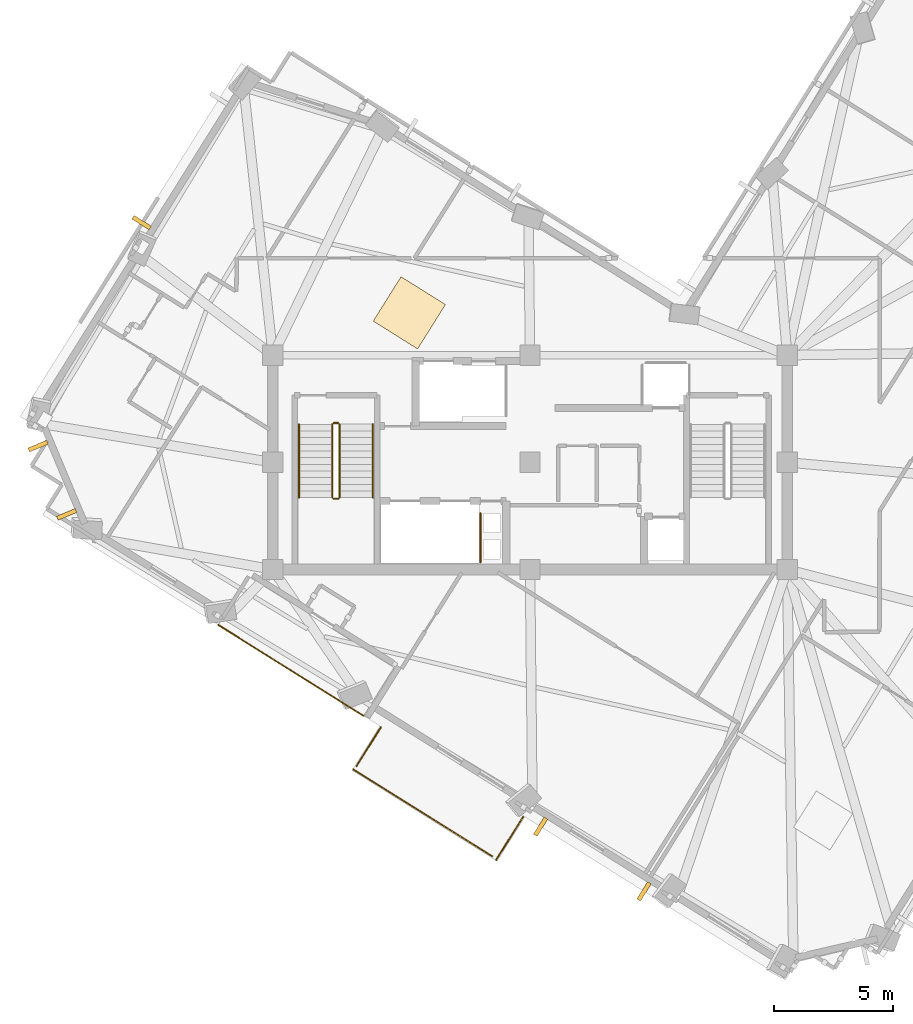
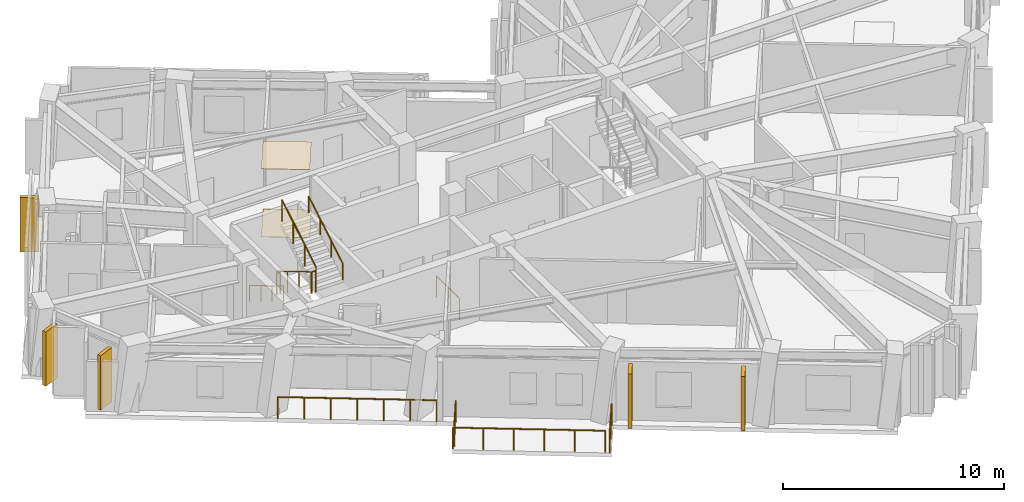
# One storey, part 9 of 12: 11 railings, 5 shading devices, 2 coverings.
"""IFC4 building model written with IfcOpenShell, lengths in metres."""

from ifc_helpers import new_model, si_unit, direction, frame, origin, origin_2d, place, context, subcontext, project, spatial, rectangle, circle, extrude, material, layer, layer_set, type_object, element, save


model = new_model("IFC4")

# Units and contexts
model_context = context("Model", 3, precision=1e-05, world=origin(), true_north=direction((0.0, 1.0)))
body_context = subcontext(model_context, "Body", "Model", "MODEL_VIEW")
ifc_project = project(units=[si_unit("LENGTHUNIT", "METRE"), si_unit("AREAUNIT", "SQUARE_METRE"), si_unit("VOLUMEUNIT", "CUBIC_METRE"), si_unit("PLANEANGLEUNIT", "RADIAN"), si_unit("MASSUNIT", "GRAM", prefix="KILO")], contexts=[model_context])

# Site, building, storey
site_placement = place(None, origin())
site = spatial("IfcSite", under=ifc_project, at=site_placement, CompositionType="ELEMENT")
building_placement = place(site_placement, origin())
building = spatial("IfcBuilding", under=site, at=building_placement, Name="Gaonmaruhae Medical Tower", CompositionType="ELEMENT")
storey_placement = place(building_placement, frame((0.0, 0.0, 272.60009765625)))
storey = spatial("IfcBuildingStorey", under=building, at=storey_placement, Name="L65", CompositionType="ELEMENT", Elevation=272.60009765625)

# Coverings
ifc_material_1 = material(Name="Acoustic mineral ceiling tile", Category="finish")
ifc_layer_1 = layer(ifc_material_1, 0.02490234375)
ifc_layer_set_1 = layer_set([ifc_layer_1], Name="Acoustic mineral ceiling tile")
covering_type_1 = type_object("IfcCoveringType", Name="CLG-01 Antimicrobial Acoustic Mineral Ceiling", PredefinedType="CEILING", material=ifc_layer_set_1)
covering_1_placement = place(storey_placement, frame((19.731689453125, 18.578857421875, 3.7548828125), z_axis=(0.0, 0.0, 1.0), x_axis=(0.530659123936, 0.847585331506, 0.0)))
element("IfcCovering", 1, at=covering_1_placement, inside=storey, type_object=covering_type_1, Name="L65 Clinical Corridor Acoustic Ceiling", PredefinedType="CEILING", context=body_context, shape_type="SweptSolid", body=[
    extrude(rectangle(XDim=2.199951171875, YDim=2.199951171875, at=origin_2d()), origin(), (0.0, 0.0, 1.0), 0.02490234375),
])
ifc_material_2 = material(Name="Seamless clinical vinyl flooring", Category="finish")
ifc_layer_2 = layer(ifc_material_2, 0.014892578125)
ifc_layer_set_2 = layer_set([ifc_layer_2], Name="Seamless clinical vinyl flooring")
covering_type_2 = type_object("IfcCoveringType", Name="FLR-01 Seamless Clinical Antistatic Vinyl Flooring", PredefinedType="FLOORING", material=ifc_layer_set_2)
covering_2_placement = place(storey_placement, frame((19.731689453125, 18.578857421875, 0.00048828125), z_axis=(0.0, 0.0, 1.0), x_axis=(0.530659123936, 0.847585331506, 0.0)))
element("IfcCovering", 2, at=covering_2_placement, inside=storey, type_object=covering_type_2, Name="L65 Clinical Corridor Vinyl Flooring", PredefinedType="FLOORING", context=body_context, shape_type="SweptSolid", body=[
    extrude(rectangle(XDim=2.199951171875, YDim=2.199951171875, at=origin_2d()), origin(), (0.0, 0.0, 1.0), 0.014892578125),
])

# Railings
ifc_material_3 = material(Name="Stainless steel 316L and laminated safety glass", Category="steel")
ifc_layer_3 = layer(ifc_material_3, 0.080078125)
ifc_layer_set_3 = layer_set([ifc_layer_3], Name="Stainless steel 316L and laminated safety glass")
railing_type_1 = type_object("IfcRailingType", Name="GD-120 Outdoor Terrace Safety Glass & Steel Balustrade", PredefinedType="BALUSTRADE", material=ifc_layer_set_3)
railing_1_placement = place(storey_placement, frame((11.70654296875, 5.47216796875, 0.0)))
element("IfcRailing", 3, at=railing_1_placement, inside=storey, type_object=railing_type_1, Name="L65 Terrace Safety Guard RL-SLB-L65-TER-04", PredefinedType="BALUSTRADE", context=body_context, shape_type="SweptSolid", body=[
    extrude(circle(Radius=0.02392578125, at=origin_2d()), frame((0.0, 0.0, 1.17578125), z_axis=(0.847578944039, -0.530669326061, 0.0), x_axis=(0.530669326061, 0.847578944039, 0.0)), (0.0, 0.0, 1.0), 7.199951171875),
    extrude(circle(Radius=0.02099609375, at=origin_2d()), origin(), (0.0, 0.0, 1.0), 1.15185546875),
    extrude(circle(Radius=0.02099609375, at=origin_2d()), frame((1.01708984375, -0.63671875, 0.0)), (0.0, 0.0, 1.0), 1.15185546875),
    extrude(circle(Radius=0.02099609375, at=origin_2d()), frame((2.0341796875, -1.273681640625, 0.0)), (0.0, 0.0, 1.0), 1.15185546875),
    extrude(circle(Radius=0.02099609375, at=origin_2d()), frame((3.05126953125, -1.910400390625, 0.0)), (0.0, 0.0, 1.0), 1.15185546875),
    extrude(circle(Radius=0.02099609375, at=origin_2d()), frame((4.068359375, -2.547119140625, 0.0)), (0.0, 0.0, 1.0), 1.15185546875),
    extrude(circle(Radius=0.02099609375, at=origin_2d()), frame((5.08544921875, -3.18408203125, 0.0)), (0.0, 0.0, 1.0), 1.15185546875),
    extrude(circle(Radius=0.02099609375, at=origin_2d()), frame((6.1025390625, -3.82080078125, 0.0)), (0.0, 0.0, 1.0), 1.15185546875),
])
railing_2_placement = place(storey_placement, frame((24.52001953125, -2.57373046875, 0.0)))
element("IfcRailing", 4, at=railing_2_placement, inside=storey, type_object=railing_type_1, Name="L65 Perimeter Slab Edge Safety Balustrade 04", PredefinedType="BALUSTRADE", context=body_context, shape_type="SweptSolid", body=[
    extrude(circle(Radius=0.02392578125, at=origin_2d()), frame((0.0, 0.0, 1.17578125), z_axis=(-0.530659158522, -0.847585309852, 0.0), x_axis=(0.847585309852, -0.530659158522, 0.0)), (0.0, 0.0, 1.0), 2.159912109375),
    extrude(circle(Radius=0.02099609375, at=origin_2d()), origin(), (0.0, 0.0, 1.0), 1.15185546875),
    extrude(circle(Radius=0.02099609375, at=origin_2d()), frame((-0.5732421875, -0.91552734375, 0.0)), (0.0, 0.0, 1.0), 1.15185546875),
    extrude(circle(Radius=0.02099609375, at=origin_2d()), frame((-1.146240234375, -1.830810546875, 0.0)), (0.0, 0.0, 1.0), 1.15185546875),
])
railing_3_placement = place(storey_placement, frame((23.22216796875, -4.250732421875, 0.0)))
element("IfcRailing", 5, at=railing_3_placement, inside=storey, type_object=railing_type_1, Name="L65 Perimeter Slab Edge Safety Balustrade 05", PredefinedType="BALUSTRADE", context=body_context, shape_type="SweptSolid", body=[
    extrude(circle(Radius=0.02392578125, at=origin_2d()), frame((0.0, 0.0, 1.17578125), z_axis=(-0.847582599821, 0.530663487043, 0.0), x_axis=(-0.530663487043, -0.847582599821, 0.0)), (0.0, 0.0, 1.0), 6.900146484375),
    extrude(circle(Radius=0.02099609375, at=origin_2d()), origin(), (0.0, 0.0, 1.0), 1.15185546875),
    extrude(circle(Radius=0.02099609375, at=origin_2d()), frame((-1.169677734375, 0.732421875, 0.0)), (0.0, 0.0, 1.0), 1.15185546875),
    extrude(circle(Radius=0.02099609375, at=origin_2d()), frame((-2.33935546875, 1.464599609375, 0.0)), (0.0, 0.0, 1.0), 1.15185546875),
    extrude(circle(Radius=0.02099609375, at=origin_2d()), frame((-3.509033203125, 2.197021484375, 0.0)), (0.0, 0.0, 1.0), 1.15185546875),
    extrude(circle(Radius=0.02099609375, at=origin_2d()), frame((-4.6787109375, 2.92919921875, 0.0)), (0.0, 0.0, 1.0), 1.15185546875),
    extrude(circle(Radius=0.02099609375, at=origin_2d()), frame((-5.848388671875, 3.66162109375, 0.0)), (0.0, 0.0, 1.0), 1.15185546875),
])
railing_4_placement = place(storey_placement, frame((17.516357421875, -0.4560546875, 0.0)))
element("IfcRailing", 6, at=railing_4_placement, inside=storey, type_object=railing_type_1, Name="L65 Perimeter Slab Edge Safety Balustrade 06", PredefinedType="BALUSTRADE", context=body_context, shape_type="SweptSolid", body=[
    extrude(circle(Radius=0.02392578125, at=origin_2d()), frame((0.0, 0.0, 1.17578125), z_axis=(0.530604126312, 0.847619762123, 0.0), x_axis=(-0.847619762123, 0.530604126312, 0.0)), (0.0, 0.0, 1.0), 1.92138671875),
    extrude(circle(Radius=0.02099609375, at=origin_2d()), origin(), (0.0, 0.0, 1.0), 1.15185546875),
    extrude(circle(Radius=0.02099609375, at=origin_2d()), frame((0.509765625, 0.814453125, 0.0)), (0.0, 0.0, 1.0), 1.15185546875),
    extrude(circle(Radius=0.02099609375, at=origin_2d()), frame((1.01953125, 1.628662109375, 0.0)), (0.0, 0.0, 1.0), 1.15185546875),
])
ifc_material_4 = material(Name="Stainless steel 304 handrail", Category="steel")
railing_type_2 = type_object("IfcRailingType", Name="HR-092 Continuous Stainless Steel Stair Handrail", PredefinedType="HANDRAIL", material=ifc_material_4)
railing_5_placement = place(storey_placement, frame((15.10009765625, 13.89990234375, 0.16650390625)))
element("IfcRailing", 7, at=railing_5_placement, inside=storey, type_object=railing_type_2, Name="L65 ST-01 stair handrail 1", PredefinedType="HANDRAIL", context=body_context, shape_type="SweptSolid", body=[
    extrude(circle(Radius=0.02392578125, at=origin_2d()), frame((0.0, 0.0, 0.8759765625), z_axis=(0.0, -0.859260807169, 0.511537745687), x_axis=(1.0, 0.0, 0.0)), (0.0, 0.0, 1.0), 3.584228515625),
    extrude(circle(Radius=0.02099609375, at=origin_2d()), origin(), (0.0, 0.0, 1.0), 0.851806640625),
    extrude(circle(Radius=0.02099609375, at=origin_2d()), frame((0.0, -1.026611328125, 0.611083984375)), (0.0, 0.0, 1.0), 0.851806640625),
    extrude(circle(Radius=0.02099609375, at=origin_2d()), frame((0.0, -2.05322265625, 1.222412109375)), (0.0, 0.0, 1.0), 0.851806640625),
    extrude(circle(Radius=0.02099609375, at=origin_2d()), frame((0.0, -3.079833984375, 1.83349609375)), (0.0, 0.0, 1.0), 0.851806640625),
])
railing_6_placement = place(storey_placement, frame((18.199951171875, 10.820068359375, 2.16650390625)))
element("IfcRailing", 8, at=railing_6_placement, inside=storey, type_object=railing_type_2, Name="L65 ST-01 stair handrail 2", PredefinedType="HANDRAIL", context=body_context, shape_type="SweptSolid", body=[
    extrude(circle(Radius=0.02392578125, at=origin_2d()), frame((0.0, 0.0, 0.8759765625), z_axis=(0.0, 0.859260807169, 0.511537745687), x_axis=(-1.0, 0.0, 0.0)), (0.0, 0.0, 1.0), 3.584228515625),
    extrude(circle(Radius=0.02099609375, at=origin_2d()), origin(), (0.0, 0.0, 1.0), 0.851806640625),
    extrude(circle(Radius=0.02099609375, at=origin_2d()), frame((0.0, 1.026611328125, 0.611083984375)), (0.0, 0.0, 1.0), 0.851806640625),
    extrude(circle(Radius=0.02099609375, at=origin_2d()), frame((0.0, 2.05322265625, 1.222412109375)), (0.0, 0.0, 1.0), 0.851806640625),
    extrude(circle(Radius=0.02099609375, at=origin_2d()), frame((0.0, 3.079833984375, 1.83349609375)), (0.0, 0.0, 1.0), 0.851806640625),
])

# Shading devices
ifc_material_5 = material(Name="Pigmented coral precast concrete C45/55", Category="concrete")
shading_device_type = type_object("IfcShadingDeviceType", Name="SD-FIN1 Tower Vertical Coral Precast Shading Fin", PredefinedType="USERDEFINED", material=ifc_material_5)
for number, where, z_axis, x_axis, name in (
    (9, (8.487548828125, 22.369140625, 0.13232421875), (0.0, 0.0, 1.0), (0.530659123936, 0.847585331506, 0.0), "L65 Vertical Coral Precast Shading Fin N01"),
    (10, (5.343017578125, 10.115966796875, 0.13232421875), (0.0, 0.0, 1.0), (-0.386421224578, 0.922322414991, 0.0), "L65 Vertical Coral Precast Shading Fin N03"),
    (11, (4.141845703125, 12.982666015625, 0.13232421875), (0.0, 0.0, 1.0), (-0.386421224578, 0.922322414991, 0.0), "L65 Vertical Coral Precast Shading Fin N03B"),
    (12, (29.58984375, -5.718505859375, 0.13232421875), (0.0, 0.0, 1.0), (-0.847585331506, 0.530659123936, 0.0), "L65 Vertical Coral Precast Shading Fin W04"),
    (13, (25.245849609375, -2.998779296875, 0.13232421875), (0.0, 0.0, 1.0), (-0.847585331506, 0.530659123936, 0.0), "L65 Vertical Coral Precast Shading Fin W04B"),
):
    element("IfcShadingDevice", number, at=place(storey_placement, frame(where, z_axis=z_axis, x_axis=x_axis)), inside=storey, type_object=shading_device_type, Name=name, ObjectType="FIN", PredefinedType="USERDEFINED", context=body_context, shape_type="SweptSolid", body=[
        extrude(rectangle(XDim=0.179931640625, YDim=0.85009765625, at=origin_2d()), origin(), (0.0, 0.0, 1.0), 3.0),
    ])

# Railings
ifc_material_6 = material(Name="Stainless steel 304 balustrade", Category="steel")
railing_type_3 = type_object("IfcRailingType", Name="SG-112 Stair Well & Ramp Void Safety Balustrade", PredefinedType="BALUSTRADE", material=ifc_material_6)
railing_7_placement = place(storey_placement, frame((16.5, 13.89990234375, 0.16650390625)))
element("IfcRailing", 14, at=railing_7_placement, inside=storey, type_object=railing_type_3, Name="L65 ST-01 stair guard 1", PredefinedType="BALUSTRADE", context=body_context, shape_type="SweptSolid", body=[
    extrude(circle(Radius=0.02392578125, at=origin_2d()), frame((0.0, 0.0, 1.17578125), z_axis=(0.0, -0.859260807169, 0.511537745687), x_axis=(1.0, 0.0, 0.0)), (0.0, 0.0, 1.0), 3.584228515625),
    extrude(circle(Radius=0.02099609375, at=origin_2d()), origin(), (0.0, 0.0, 1.0), 1.15185546875),
    extrude(circle(Radius=0.02099609375, at=origin_2d()), frame((0.0, -1.026611328125, 0.611083984375)), (0.0, 0.0, 1.0), 1.15185546875),
    extrude(circle(Radius=0.02099609375, at=origin_2d()), frame((0.0, -2.05322265625, 1.222412109375)), (0.0, 0.0, 1.0), 1.15185546875),
    extrude(circle(Radius=0.02099609375, at=origin_2d()), frame((0.0, -3.079833984375, 1.83349609375)), (0.0, 0.0, 1.0), 1.15185546875),
])
railing_8_placement = place(storey_placement, frame((16.550048828125, 10.77001953125, 2.0)))
element("IfcRailing", 15, at=railing_8_placement, inside=storey, type_object=railing_type_3, Name="L65 ST-01 stair guard 2", PredefinedType="BALUSTRADE", context=body_context, shape_type="SweptSolid", body=[
    extrude(circle(Radius=0.02392578125, at=origin_2d()), frame((0.0, 0.0, 1.17578125), z_axis=(1.0, 0.0, 0.0), x_axis=(0.0, 1.0, 0.0)), (0.0, 0.0, 1.0), 0.199951171875),
    extrude(circle(Radius=0.02099609375, at=origin_2d()), origin(), (0.0, 0.0, 1.0), 1.15185546875),
    extrude(circle(Radius=0.02099609375, at=origin_2d()), frame((0.199951171875, 0.0, 0.0)), (0.0, 0.0, 1.0), 1.15185546875),
])
railing_9_placement = place(storey_placement, frame((16.800048828125, 10.820068359375, 2.16650390625)))
element("IfcRailing", 16, at=railing_9_placement, inside=storey, type_object=railing_type_3, Name="L65 ST-01 stair guard 3", PredefinedType="BALUSTRADE", context=body_context, shape_type="SweptSolid", body=[
    extrude(circle(Radius=0.02392578125, at=origin_2d()), frame((0.0, 0.0, 1.17578125), z_axis=(0.0, 0.859260807169, 0.511537745687), x_axis=(-1.0, 0.0, 0.0)), (0.0, 0.0, 1.0), 3.584228515625),
    extrude(circle(Radius=0.02099609375, at=origin_2d()), origin(), (0.0, 0.0, 1.0), 1.15185546875),
    extrude(circle(Radius=0.02099609375, at=origin_2d()), frame((0.0, 1.026611328125, 0.611083984375)), (0.0, 0.0, 1.0), 1.15185546875),
    extrude(circle(Radius=0.02099609375, at=origin_2d()), frame((0.0, 2.05322265625, 1.222412109375)), (0.0, 0.0, 1.0), 1.15185546875),
    extrude(circle(Radius=0.02099609375, at=origin_2d()), frame((0.0, 3.079833984375, 1.83349609375)), (0.0, 0.0, 1.0), 1.15185546875),
])
railing_10_placement = place(storey_placement, frame((16.550048828125, 13.949951171875, 0.0)))
element("IfcRailing", 17, at=railing_10_placement, inside=storey, type_object=railing_type_3, Name="L65 ST-01 stair guard 4", PredefinedType="BALUSTRADE", context=body_context, shape_type="SweptSolid", body=[
    extrude(circle(Radius=0.02392578125, at=origin_2d()), frame((0.0, 0.0, 1.17578125), z_axis=(1.0, 0.0, 0.0), x_axis=(0.0, 1.0, 0.0)), (0.0, 0.0, 1.0), 0.199951171875),
    extrude(circle(Radius=0.02099609375, at=origin_2d()), origin(), (0.0, 0.0, 1.0), 1.15185546875),
    extrude(circle(Radius=0.02099609375, at=origin_2d()), frame((0.199951171875, 0.0, 0.0)), (0.0, 0.0, 1.0), 1.15185546875),
])
railing_11_placement = place(storey_placement, frame((22.719970703125, 10.159912109375, 0.0)))
element("IfcRailing", 18, at=railing_11_placement, inside=storey, type_object=railing_type_3, Name="L65 Shaft Edge Safety Guard 07", PredefinedType="BALUSTRADE", context=body_context, shape_type="SweptSolid", body=[
    extrude(circle(Radius=0.02392578125, at=origin_2d()), frame((0.0, 0.0, 1.17578125), z_axis=(0.0, -1.0, 0.0), x_axis=(1.0, 0.0, 0.0)), (0.0, 0.0, 1.0), 2.06494140625),
    extrude(circle(Radius=0.02099609375, at=origin_2d()), origin(), (0.0, 0.0, 1.0), 1.15185546875),
    extrude(circle(Radius=0.02099609375, at=origin_2d()), frame((0.0, -1.032470703125, 0.0)), (0.0, 0.0, 1.0), 1.15185546875),
    extrude(circle(Radius=0.02099609375, at=origin_2d()), frame((0.0, -2.06494140625, 0.0)), (0.0, 0.0, 1.0), 1.15185546875),
])

save(model, "model.ifc")
